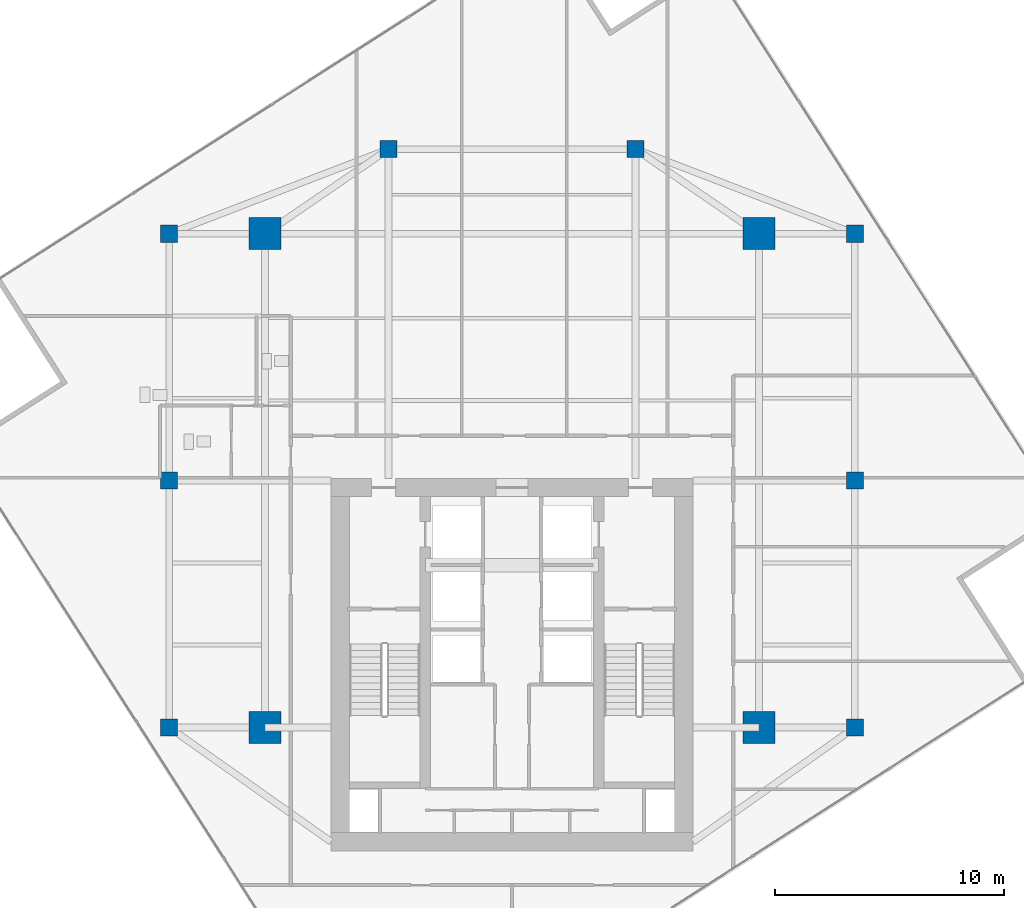
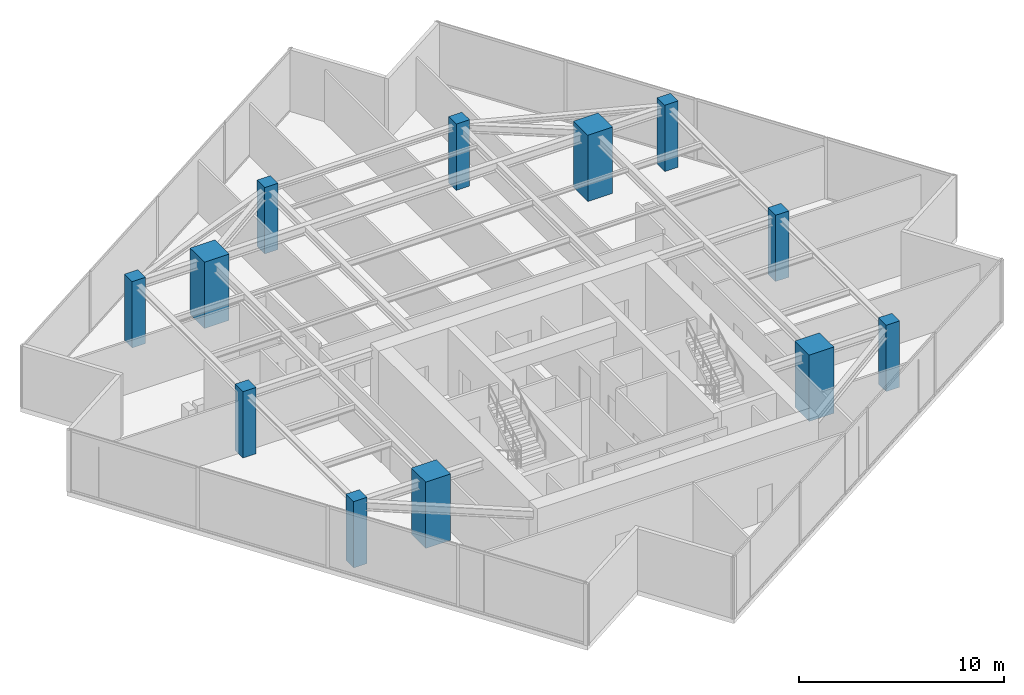
# One storey, part 1 of 20: 12 columns.
"""IFC4 building model written with IfcOpenShell, lengths in metres."""

from ifc_helpers import new_model, si_unit, direction, frame, origin, origin_2d, place, context, subcontext, project, spatial, rectangle, extrude, source, transform, mapped, material, material_profile, profile_set, type_object, type_shapes, element, save


model = new_model("IFC4")

# Units and contexts
model_context = context("Model", 3, precision=1e-05, world=origin(), true_north=direction((0.0, 1.0)))
body_context = subcontext(model_context, "Body", "Model", "MODEL_VIEW")
ifc_project = project(units=[si_unit("LENGTHUNIT", "METRE"), si_unit("AREAUNIT", "SQUARE_METRE"), si_unit("VOLUMEUNIT", "CUBIC_METRE"), si_unit("PLANEANGLEUNIT", "RADIAN"), si_unit("MASSUNIT", "GRAM", prefix="KILO")], contexts=[model_context])

# Site, building, storey
site_placement = place(None, origin())
site = spatial("IfcSite", under=ifc_project, at=site_placement, CompositionType="ELEMENT")
building_placement = place(site_placement, origin())
building = spatial("IfcBuilding", under=site, at=building_placement, Name="Krantzveldt Concourse Tower", CompositionType="ELEMENT")
storey_placement = place(building_placement, frame((0.0, 0.0, 287.14990234375)))
storey = spatial("IfcBuildingStorey", under=building, at=storey_placement, Name="L70", CompositionType="ELEMENT", Elevation=287.14990234375)

# Columns
ifc_material = material(Name="Concrete C50/60", Category="concrete")
ifc_material_profile_1 = material_profile(ifc_material, rectangle(XDim=1.39990234375, YDim=1.39990234375, at=origin_2d()), Name="Concrete C50/60", Category="concrete")
ifc_profile_set_1 = profile_set([ifc_material_profile_1], Name="Concrete C50/60 - RC 1400x1400")
column_type_1 = type_object("IfcColumnType", Name="COL-MC-1400", PredefinedType="USERDEFINED", material=ifc_profile_set_1)
shared_shape_1 = source(origin(), body_context, "Body", "SweptSolid", [
    extrude(rectangle(XDim=1.39990234375, YDim=1.39990234375, at=origin_2d()), origin(), (0.0, 0.0, 1.0), 3.9501953125),
])
type_shapes(column_type_1, [shared_shape_1])
for number, where, z_axis, x_axis, name in (
    (1, (25.199951171875, 15.89990234375, 0.0), (0.0, 0.0, 1.0), (1.0, 0.0, 0.0), "MC-SW-L70"),
    (2, (46.800048828125, 15.89990234375, 0.0), (0.0, 0.0, 1.0), (1.0, 0.0, 0.0), "MC-SE-L70"),
    (3, (46.800048828125, 37.5, 0.0), (0.0, 0.0, 1.0), (1.0, 0.0, 0.0), "MC-NE-L70"),
    (4, (25.199951171875, 37.5, 0.0), (0.0, 0.0, 1.0), (1.0, 0.0, 0.0), "MC-NW-L70"),
):
    element("IfcColumn", number, at=place(storey_placement, frame(where, z_axis=z_axis, x_axis=x_axis)), inside=storey, type_object=column_type_1, Name=name, ObjectType="MEGA COLUMN", PredefinedType="USERDEFINED", context=body_context, shape_type="MappedRepresentation", body=[
        mapped(shared_shape_1, transform((0.0, 0.0, 0.0), x_axis=(1.0, 0.0, 0.0), y_axis=(0.0, 1.0, 0.0), z_axis=(0.0, 0.0, 1.0), scale=1.0)),
    ])
ifc_material_profile_2 = material_profile(ifc_material, rectangle(XDim=0.75, YDim=0.75, at=origin_2d()), Name="Concrete C50/60", Category="concrete")
ifc_profile_set_2 = profile_set([ifc_material_profile_2], Name="Concrete C50/60 - RC 750x750")
column_type_2 = type_object("IfcColumnType", Name="COL-C-Z5", PredefinedType="COLUMN", material=ifc_profile_set_2)
shared_shape_2 = source(origin(), body_context, "Body", "SweptSolid", [
    extrude(rectangle(XDim=0.75, YDim=0.75, at=origin_2d()), origin(), (0.0, 0.0, 1.0), 3.9501953125),
])
type_shapes(column_type_2, [shared_shape_2])
for number, where, z_axis, x_axis, name in (
    (5, (21.0, 15.89990234375, 0.0), (0.0, 0.0, 1.0), (1.0, 0.0, 0.0), "PC-R01-L70"),
    (6, (21.0, 26.699951171875, 0.0), (0.0, 0.0, 1.0), (1.0, 0.0, 0.0), "PC-R02-L70"),
    (7, (21.0, 37.5, 0.0), (0.0, 0.0, 1.0), (1.0, 0.0, 0.0), "PC-R03-L70"),
    (8, (30.60009765625, 41.199951171875, 0.0), (0.0, 0.0, 1.0), (1.0, 0.0, 0.0), "PC-R04-L70"),
    (9, (41.39990234375, 41.199951171875, 0.0), (0.0, 0.0, 1.0), (1.0, 0.0, 0.0), "PC-R05-L70"),
    (10, (51.0, 37.5, 0.0), (0.0, 0.0, 1.0), (1.0, 0.0, 0.0), "PC-R06-L70"),
    (11, (51.0, 26.699951171875, 0.0), (0.0, 0.0, 1.0), (1.0, 0.0, 0.0), "PC-R07-L70"),
    (12, (51.0, 15.89990234375, 0.0), (0.0, 0.0, 1.0), (1.0, 0.0, 0.0), "PC-R08-L70"),
):
    element("IfcColumn", number, at=place(storey_placement, frame(where, z_axis=z_axis, x_axis=x_axis)), inside=storey, type_object=column_type_2, Name=name, PredefinedType="COLUMN", context=body_context, shape_type="MappedRepresentation", body=[
        mapped(shared_shape_2, transform((0.0, 0.0, 0.0), x_axis=(1.0, 0.0, 0.0), y_axis=(0.0, 1.0, 0.0), z_axis=(0.0, 0.0, 1.0), scale=1.0)),
    ])

save(model, "model.ifc")
